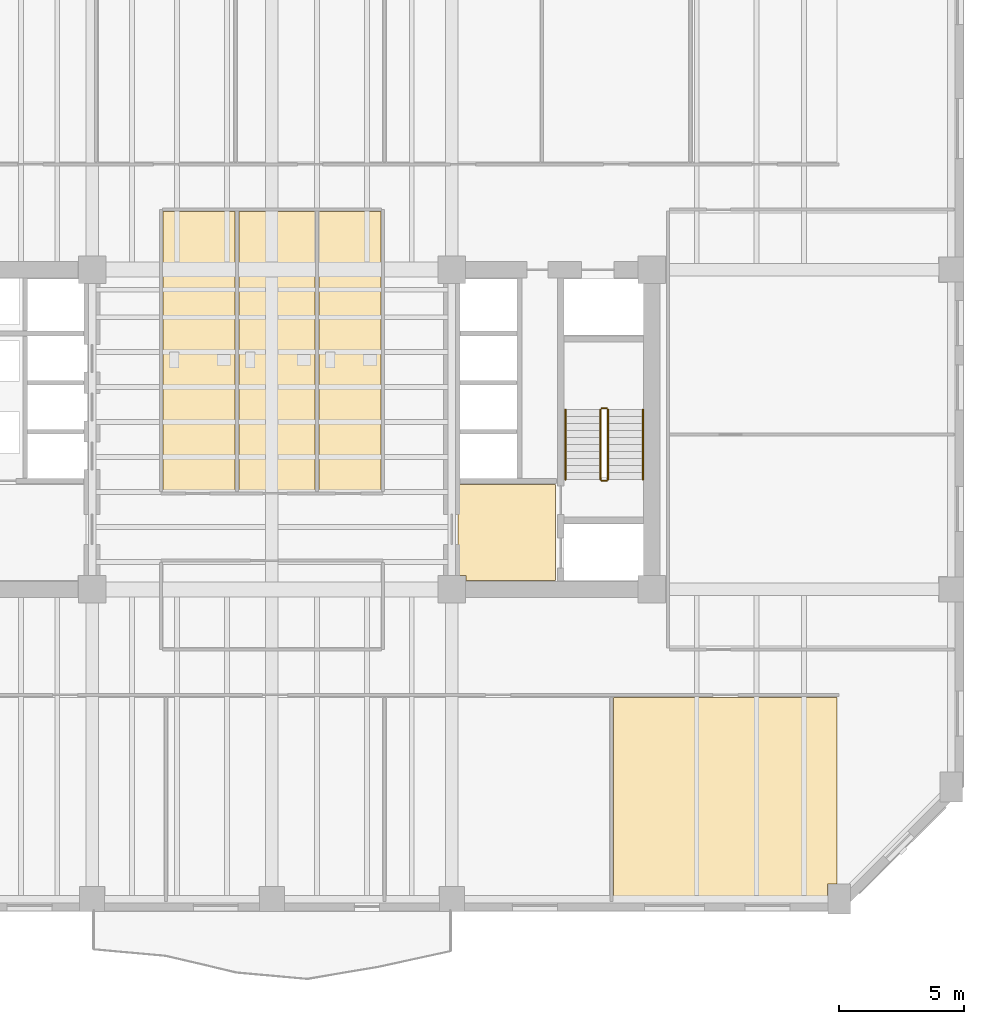
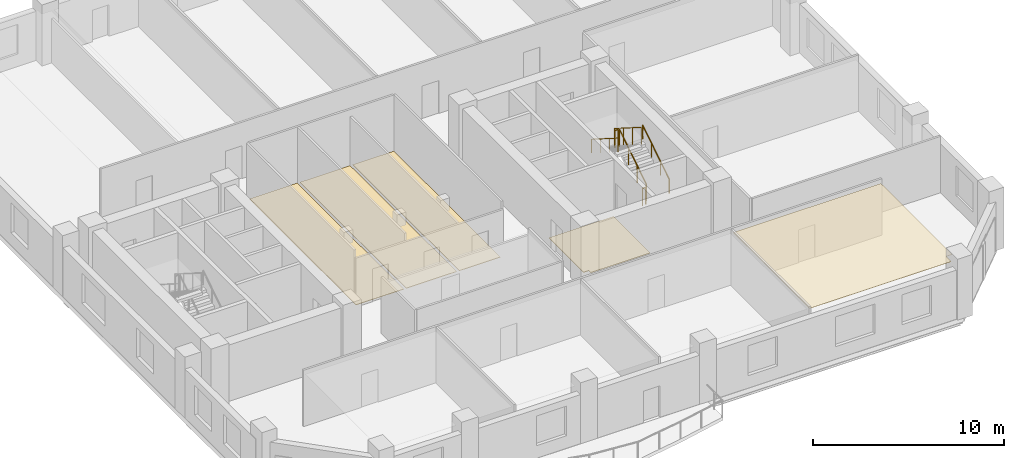
# One storey, part 7 of 9: 6 railings, 5 coverings.
"""IFC4 building model written with IfcOpenShell, lengths in metres."""

import ifcopenshell
import ifcopenshell.guid

model = None  # the IFC model being written
_history = None  # IfcOwnerHistory: only IFC2X3 demands one
_inside = {}  # id of a spatial element -> (the spatial element, [elements in it])
_under = {}  # id of a project, library or spatial element -> (it, [spatial elements below it])
_declared = {}  # id of a project -> (the project, [libraries it declares])
_typed = {}  # id of a type object -> (the type object, [elements of that type])
_made_of = {}  # id of a material, layer set ... -> (it, [elements and type objects made of it])


def new_model(schema):
    """Start an empty IFC model of exactly this schema.

    Asked for "IFC4X3", IfcOpenShell would pick the latest addendum, in which some entities
    have other attributes; the version numbers below select the first issue.
    IFC2X3 requires an IfcOwnerHistory on every rooted entity: one is made here for all.
    """
    global model, _history
    if schema == "IFC4X3":
        model = ifcopenshell.file(schema_version=(4, 3, 0, 0))
    else:
        model = ifcopenshell.file(schema=schema)
    _inside.clear()
    _under.clear()
    _declared.clear()
    _typed.clear()
    _made_of.clear()
    _history = None
    if model.schema == "IFC2X3":
        org = make("IfcOrganization", Name="unknown")
        user = make(
            "IfcPersonAndOrganization",
            ThePerson=make("IfcPerson", FamilyName="unknown"),
            TheOrganization=org,
        )
        app = make(
            "IfcApplication",
            ApplicationDeveloper=org,
            Version="unknown",
            ApplicationFullName="unknown",
            ApplicationIdentifier="unknown",
        )
        _history = make(
            "IfcOwnerHistory",
            OwningUser=user,
            OwningApplication=app,
            ChangeAction="ADDED",
            CreationDate=0,
        )
    return model


def make(cls, **values):
    """One entity of the class cls with the attributes given. An attribute that is None is left unset."""
    return model.create_entity(
        cls, **{name: value for name, value in values.items() if value is not None}
    )


def rooted(cls, **values):
    """An entity with a GlobalId (a new one), such as an element, a storey or a relation."""
    return make(cls, GlobalId=ifcopenshell.guid.new(), OwnerHistory=_history, **values)


def si_unit(unit_type, name, prefix=None):
    """IfcSIUnit, for example si_unit("LENGTHUNIT", "METRE", prefix="MILLI")."""
    return make("IfcSIUnit", UnitType=unit_type, Prefix=prefix, Name=name)


def assignment(units):
    """IfcUnitAssignment: the units of a project."""
    return None if units is None else make("IfcUnitAssignment", Units=units)


def point(xyz):
    """IfcCartesianPoint."""
    return None if xyz is None else make("IfcCartesianPoint", Coordinates=xyz)


def direction(xyz):
    """IfcDirection."""
    return None if xyz is None else make("IfcDirection", DirectionRatios=xyz)


def frame(location, z_axis=None, x_axis=None):
    """IfcAxis2Placement3D, a coordinate frame: its origin and axes. An axis left out is left unset."""
    return make(
        "IfcAxis2Placement3D",
        Location=point(location),
        Axis=direction(z_axis),
        RefDirection=direction(x_axis),
    )


def frame_2d(location, x_axis=None):
    """IfcAxis2Placement2D, a coordinate frame in the plane: its origin and x axis."""
    return make(
        "IfcAxis2Placement2D", Location=point(location), RefDirection=direction(x_axis)
    )


def origin():
    """The frame at (0, 0, 0) with its axes left unset."""
    return frame((0.0, 0.0, 0.0))


def origin_2d():
    """The frame at (0, 0) in the plane with its x axis left unset."""
    return frame_2d((0.0, 0.0))


def place(relative_to, where):
    """IfcLocalPlacement: puts the frame where relative to a parent placement (None: the world)."""
    return make(
        "IfcLocalPlacement", PlacementRelTo=relative_to, RelativePlacement=where
    )


def context(
    kind, dimensions, precision=None, world=None, true_north=None, identifier=None
):
    """IfcGeometricRepresentationContext, for example the 3D "Model" context."""
    return make(
        "IfcGeometricRepresentationContext",
        ContextIdentifier=identifier,
        ContextType=kind,
        CoordinateSpaceDimension=dimensions,
        Precision=precision,
        WorldCoordinateSystem=world,
        TrueNorth=true_north,
    )


def subcontext(parent, identifier, kind, view, scale=None):
    """IfcGeometricRepresentationSubContext, for example "Body" below "Model"."""
    return make(
        "IfcGeometricRepresentationSubContext",
        ContextIdentifier=identifier,
        ContextType=kind,
        ParentContext=parent,
        TargetScale=scale,
        TargetView=view,
    )


def project(units=None, contexts=None):
    """IfcProject with its units and contexts."""
    return rooted(
        "IfcProject",
        Name="project",
        RepresentationContexts=contexts,
        UnitsInContext=assignment(units),
    )


def spatial(cls, under=None, at=None, **own):
    """A site, building, storey or space (cls), placed at a placement, below another one or the project."""
    s = rooted(cls, ObjectPlacement=at, **own)
    if under is not None:
        _under.setdefault(under.id(), (under, []))[1].append(s)
    return s


def polyline(points):
    """IfcPolyline through the points."""
    return make("IfcPolyline", Points=[point(p) for p in points])


def profile(cls, at=None, kind="AREA", **sizes):
    """A parametric profile (cls). Its sizes go by their IFC names, for example OverallWidth=200.0."""
    return make(cls, ProfileType=kind, Position=at, **sizes)


def circle(**sizes):
    """IfcCircleProfileDef."""
    return profile("IfcCircleProfileDef", **sizes)


def outline(outer, holes=None, kind="AREA"):
    """IfcArbitraryClosedProfileDef: a profile drawn as a closed curve; with holes, ...WithVoids."""
    if holes is None:
        return make("IfcArbitraryClosedProfileDef", ProfileType=kind, OuterCurve=outer)
    return make(
        "IfcArbitraryProfileDefWithVoids",
        ProfileType=kind,
        OuterCurve=outer,
        InnerCurves=holes,
    )


def extrude(swept, where, along, depth):
    """IfcExtrudedAreaSolid: the profile swept, set in the frame where, extruded along a direction by depth."""
    return make(
        "IfcExtrudedAreaSolid",
        SweptArea=swept,
        Position=where,
        ExtrudedDirection=direction(along),
        Depth=depth,
    )


def shape(context_of_items, identifier, shape_type, items):
    """IfcShapeRepresentation: the items that make up one representation, for example the "Body"."""
    return make(
        "IfcShapeRepresentation",
        ContextOfItems=context_of_items,
        RepresentationIdentifier=identifier,
        RepresentationType=shape_type,
        Items=items,
    )


def material(Name=None, Category=None):
    """IfcMaterial."""
    return make("IfcMaterial", Name=Name, Category=Category)


def layer(
    of_material, thickness, ventilated=None, Name=None, Category=None, Priority=None
):
    """IfcMaterialLayer: one layer of a wall or slab, of a material (None: an air gap)."""
    return make(
        "IfcMaterialLayer",
        Material=of_material,
        LayerThickness=thickness,
        IsVentilated=ventilated,
        Name=Name,
        Category=Category,
        Priority=Priority,
    )


def layer_set(layers, Name=None):
    """IfcMaterialLayerSet."""
    return make("IfcMaterialLayerSet", MaterialLayers=layers, LayerSetName=Name)


def made_of(thing, what):
    """Note that an element or type object is made of a material, layer set ...; save() writes the relation."""
    if what is not None:
        _made_of.setdefault(what.id(), (what, []))[1].append(thing)
    return thing


def type_object(cls, material=None, **own):
    """A type object (cls), such as IfcWallType, which elements share."""
    return made_of(rooted(cls, **own), material)


def element(
    cls,
    number,
    at=None,
    inside=None,
    cuts=None,
    type_object=None,
    material=None,
    context=None,
    identifier="Body",
    shape_type=None,
    held_by="IfcProductDefinitionShape",
    body=None,
    shapes=None,
    **own,
):
    """One element of the class cls, such as IfcWall. Its Tag is "e" and its number.

    at: its placement. inside: the storey or other place that contains it. cuts: it is an
    opening in that element (IfcRelVoidsElement). A single representation is given by context,
    identifier, shape_type and body (its items); several are given by shapes. held_by: the class
    of the entity that holds the representations. save() writes the other relations.
    """
    e = rooted(cls, Tag="e%d" % number, ObjectPlacement=at, **own)
    if body is not None:
        shapes = [shape(context, identifier, shape_type, body)]
    if shapes is not None:
        e.Representation = make(held_by, Representations=shapes)
    if inside is not None:
        _inside.setdefault(inside.id(), (inside, []))[1].append(e)
    if cuts is not None:
        rooted(
            "IfcRelVoidsElement", RelatingBuildingElement=cuts, RelatedOpeningElement=e
        )
    if type_object is not None:
        _typed.setdefault(type_object.id(), (type_object, []))[1].append(e)
    return made_of(e, material)


def aggregate(whole, parts):
    """IfcRelAggregates: a whole, such as a stair, and the parts it consists of."""
    return rooted("IfcRelAggregates", RelatingObject=whole, RelatedObjects=parts)


def save(model, path):
    """Write the relations noted so far, then the file.

    IfcRelAggregates (storeys below a building ...), IfcRelContainedInSpatialStructure (elements
    in a storey), IfcRelDefinesByType, IfcRelAssociatesMaterial and IfcRelDeclares: one each for
    every whole, place, type object, material and project.
    """
    for whole, parts in _under.values():
        aggregate(whole, parts)
    for where, things in _inside.values():
        rooted(
            "IfcRelContainedInSpatialStructure",
            RelatedElements=things,
            RelatingStructure=where,
        )
    for kind, things in _typed.values():
        rooted("IfcRelDefinesByType", RelatedObjects=things, RelatingType=kind)
    for what, things in _made_of.values():
        rooted("IfcRelAssociatesMaterial", RelatedObjects=things, RelatingMaterial=what)
    for by, libraries in _declared.values():
        rooted("IfcRelDeclares", RelatingContext=by, RelatedDefinitions=libraries)
    model.write(path)


model = new_model("IFC4")

# Units and contexts
model_context = context("Model", 3, precision=1e-05, world=origin(), true_north=direction((0.0, 1.0)))
body_context = subcontext(model_context, "Body", "Model", "MODEL_VIEW")
ifc_project = project(units=[si_unit("LENGTHUNIT", "METRE"), si_unit("AREAUNIT", "SQUARE_METRE"), si_unit("VOLUMEUNIT", "CUBIC_METRE"), si_unit("PLANEANGLEUNIT", "RADIAN"), si_unit("MASSUNIT", "GRAM", prefix="KILO")], contexts=[model_context])

# Site, building, storey
site_placement = place(None, origin())
site = spatial("IfcSite", under=ifc_project, at=site_placement, CompositionType="ELEMENT")
building_placement = place(site_placement, origin())
building = spatial("IfcBuilding", under=site, at=building_placement, Name="Kranthara Brick Stack", CompositionType="ELEMENT")
storey_placement = place(building_placement, frame((0.0, 0.0, 86.699951171875)))
storey = spatial("IfcBuildingStorey", under=building, at=storey_placement, Name="L21", CompositionType="ELEMENT", Elevation=86.699951171875)

# Coverings
ifc_material_1 = material(Name="Perforated mineral-fibre acoustic ceiling tile", Category="other")
ifc_layer_1 = layer(ifc_material_1, 0.02490234375)
ifc_layer_set_1 = layer_set([ifc_layer_1], Name="Perforated mineral-fibre acoustic ceiling tile")
covering_type_1 = type_object("IfcCoveringType", Name="COV-CEIL-ACOUSTIC", PredefinedType="CEILING", material=ifc_layer_set_1)
covering_1_placement = place(storey_placement, frame((0.0, 0.0, 3.330078125)))
element("IfcCovering", 1, at=covering_1_placement, inside=storey, type_object=covering_type_1, Name="L21 L21 Collaboration Lounge 4 Acoustic Ceiling", PredefinedType="CEILING", context=body_context, shape_type="SweptSolid", body=[
    extrude(outline(polyline([(41.679931640625, 8.469970703125), (41.679931640625, 16.47998046875), (50.6201171875, 16.47998046875), (50.6201171875, 9.010009765625), (50.239990234375, 9.010009765625), (50.239990234375, 8.469970703125), (41.679931640625, 8.469970703125)])), origin(), (0.0, 0.0, 1.0), 0.02490234375),
])
ifc_material_2 = material(Name="Honed terrazzo and porcelain floor finish", Category="stone")
ifc_layer_2 = layer(ifc_material_2, 0.030029296875)
ifc_layer_set_2 = layer_set([ifc_layer_2], Name="Honed terrazzo and porcelain floor finish")
covering_type_2 = type_object("IfcCoveringType", Name="COV-FLOR-STONE", PredefinedType="FLOORING", material=ifc_layer_set_2)
covering_2_placement = place(storey_placement, origin())
element("IfcCovering", 2, at=covering_2_placement, inside=storey, type_object=covering_type_2, Name="L21 Lift Lobby Stone Flooring", PredefinedType="FLOORING", context=body_context, shape_type="SweptSolid", body=[
    extrude(outline(polyline([(35.449951171875, 25.0), (39.35009765625, 25.0), (39.35009765625, 21.14990234375), (35.760009765625, 21.14990234375), (35.760009765625, 21.360107421875), (35.449951171875, 21.360107421875), (35.449951171875, 25.0)])), origin(), (0.0, 0.0, 1.0), 0.030029296875),
])
covering_3_placement = place(storey_placement, origin())
element("IfcCovering", 3, at=covering_3_placement, inside=storey, type_object=covering_type_2, Name="L21 Wet Room Porcelain Flooring", PredefinedType="FLOORING", context=body_context, shape_type="SweptSolid", body=[
    extrude(outline(polyline([(26.52001953125, 24.75), (26.52001953125, 35.919921875), (23.6298828125, 35.919921875), (23.6298828125, 24.75), (26.52001953125, 24.75)])), origin(), (0.0, 0.0, 1.0), 0.030029296875),
])
covering_4_placement = place(storey_placement, origin())
element("IfcCovering", 4, at=covering_4_placement, inside=storey, type_object=covering_type_2, Name="L21 Wet Room Porcelain Flooring", PredefinedType="FLOORING", context=body_context, shape_type="SweptSolid", body=[
    extrude(outline(polyline([(29.719970703125, 24.75), (29.719970703125, 35.919921875), (26.679931640625, 35.919921875), (26.679931640625, 24.75), (29.719970703125, 24.75)])), origin(), (0.0, 0.0, 1.0), 0.030029296875),
])
covering_5_placement = place(storey_placement, origin())
element("IfcCovering", 5, at=covering_5_placement, inside=storey, type_object=covering_type_2, Name="L21 Wet Room Porcelain Flooring", PredefinedType="FLOORING", context=body_context, shape_type="SweptSolid", body=[
    extrude(outline(polyline([(32.3701171875, 24.75), (32.3701171875, 35.919921875), (29.8798828125, 35.919921875), (29.8798828125, 24.75), (32.3701171875, 24.75)])), origin(), (0.0, 0.0, 1.0), 0.030029296875),
])

# Railings
ifc_material_3 = material(Name="Painted galvanized steel stair guardrail", Category="steel")
railing_type_1 = type_object("IfcRailingType", Name="RL-STAIR-GUARD-1100", PredefinedType="GUARDRAIL", material=ifc_material_3)
railing_1_placement = place(storey_placement, frame((41.449951171875, 25.199951171875, 0.17724609375)))
element("IfcRailing", 6, at=railing_1_placement, inside=storey, type_object=railing_type_1, Name="L21 ST02 stair guard 1", PredefinedType="GUARDRAIL", context=body_context, shape_type="SweptSolid", body=[
    extrude(circle(Radius=0.02392578125, at=origin_2d()), frame((0.0, 0.0, 1.076171875), z_axis=(0.0, 0.844908973607, 0.534910110503), x_axis=(-1.0, 0.0, 0.0)), (0.0, 0.0, 1.0), 3.31396484375),
    extrude(circle(Radius=0.02099609375, at=origin_2d()), origin(), (0.0, 0.0, 1.0), 1.052001953125),
    extrude(circle(Radius=0.02099609375, at=origin_2d()), frame((0.0, 0.933349609375, 0.5908203125)), (0.0, 0.0, 1.0), 1.052001953125),
    extrude(circle(Radius=0.02099609375, at=origin_2d()), frame((0.0, 1.86669921875, 1.181884765625)), (0.0, 0.0, 1.0), 1.052001953125),
    extrude(circle(Radius=0.02099609375, at=origin_2d()), frame((0.0, 2.800048828125, 1.772705078125)), (0.0, 0.0, 1.0), 1.052001953125),
])
railing_2_placement = place(storey_placement, frame((41.39990234375, 28.050048828125, 1.949951171875)))
element("IfcRailing", 7, at=railing_2_placement, inside=storey, type_object=railing_type_1, Name="L21 ST02 stair guard 2", PredefinedType="GUARDRAIL", context=body_context, shape_type="SweptSolid", body=[
    extrude(circle(Radius=0.02392578125, at=origin_2d()), frame((0.0, 0.0, 1.076171875), z_axis=(-1.0, 0.0, 0.0), x_axis=(0.0, -1.0, 0.0)), (0.0, 0.0, 1.0), 0.199951171875),
    extrude(circle(Radius=0.02099609375, at=origin_2d()), origin(), (0.0, 0.0, 1.0), 1.052001953125),
    extrude(circle(Radius=0.02099609375, at=origin_2d()), frame((-0.199951171875, 0.0, 0.0)), (0.0, 0.0, 1.0), 1.052001953125),
])
railing_3_placement = place(storey_placement, frame((41.14990234375, 28.0, 2.12744140625)))
element("IfcRailing", 8, at=railing_3_placement, inside=storey, type_object=railing_type_1, Name="L21 ST02 stair guard 3", PredefinedType="GUARDRAIL", context=body_context, shape_type="SweptSolid", body=[
    extrude(circle(Radius=0.02392578125, at=origin_2d()), frame((0.0, 0.0, 1.076171875), z_axis=(0.0, -0.844908973607, 0.534910110503), x_axis=(1.0, 0.0, 0.0)), (0.0, 0.0, 1.0), 3.31396484375),
    extrude(circle(Radius=0.02099609375, at=origin_2d()), origin(), (0.0, 0.0, 1.0), 1.052001953125),
    extrude(circle(Radius=0.02099609375, at=origin_2d()), frame((0.0, -0.933349609375, 0.5908203125)), (0.0, 0.0, 1.0), 1.052001953125),
    extrude(circle(Radius=0.02099609375, at=origin_2d()), frame((0.0, -1.86669921875, 1.181884765625)), (0.0, 0.0, 1.0), 1.052001953125),
    extrude(circle(Radius=0.02099609375, at=origin_2d()), frame((0.0, -2.800048828125, 1.772705078125)), (0.0, 0.0, 1.0), 1.052001953125),
])
railing_4_placement = place(storey_placement, frame((41.39990234375, 25.14990234375, 0.0)))
element("IfcRailing", 9, at=railing_4_placement, inside=storey, type_object=railing_type_1, Name="L21 ST02 stair guard 4", PredefinedType="GUARDRAIL", context=body_context, shape_type="SweptSolid", body=[
    extrude(circle(Radius=0.02392578125, at=origin_2d()), frame((0.0, 0.0, 1.076171875), z_axis=(-1.0, 0.0, 0.0), x_axis=(0.0, -1.0, 0.0)), (0.0, 0.0, 1.0), 0.199951171875),
    extrude(circle(Radius=0.02099609375, at=origin_2d()), origin(), (0.0, 0.0, 1.0), 1.052001953125),
    extrude(circle(Radius=0.02099609375, at=origin_2d()), frame((-0.199951171875, 0.0, 0.0)), (0.0, 0.0, 1.0), 1.052001953125),
])
ifc_material_4 = material(Name="Brushed stainless steel tubular handrail", Category="steel")
railing_type_2 = type_object("IfcRailingType", Name="RL-STAIR-HAND-900", PredefinedType="HANDRAIL", material=ifc_material_4)
railing_5_placement = place(storey_placement, frame((42.85009765625, 25.199951171875, 0.17724609375)))
element("IfcRailing", 10, at=railing_5_placement, inside=storey, type_object=railing_type_2, Name="L21 ST02 stair handrail 1", PredefinedType="HANDRAIL", context=body_context, shape_type="SweptSolid", body=[
    extrude(circle(Radius=0.02392578125, at=origin_2d()), frame((0.0, 0.0, 0.8759765625), z_axis=(0.0, 0.844908973607, 0.534910110503), x_axis=(-1.0, 0.0, 0.0)), (0.0, 0.0, 1.0), 3.31396484375),
    extrude(circle(Radius=0.02099609375, at=origin_2d()), origin(), (0.0, 0.0, 1.0), 0.851806640625),
    extrude(circle(Radius=0.02099609375, at=origin_2d()), frame((0.0, 0.933349609375, 0.5908203125)), (0.0, 0.0, 1.0), 0.851806640625),
    extrude(circle(Radius=0.02099609375, at=origin_2d()), frame((0.0, 1.86669921875, 1.181884765625)), (0.0, 0.0, 1.0), 0.851806640625),
    extrude(circle(Radius=0.02099609375, at=origin_2d()), frame((0.0, 2.800048828125, 1.772705078125)), (0.0, 0.0, 1.0), 0.851806640625),
])
railing_6_placement = place(storey_placement, frame((39.75, 28.0, 2.12744140625)))
element("IfcRailing", 11, at=railing_6_placement, inside=storey, type_object=railing_type_2, Name="L21 ST02 stair handrail 2", PredefinedType="HANDRAIL", context=body_context, shape_type="SweptSolid", body=[
    extrude(circle(Radius=0.02392578125, at=origin_2d()), frame((0.0, 0.0, 0.8759765625), z_axis=(0.0, -0.844908973607, 0.534910110503), x_axis=(1.0, 0.0, 0.0)), (0.0, 0.0, 1.0), 3.31396484375),
    extrude(circle(Radius=0.02099609375, at=origin_2d()), origin(), (0.0, 0.0, 1.0), 0.851806640625),
    extrude(circle(Radius=0.02099609375, at=origin_2d()), frame((0.0, -0.933349609375, 0.5908203125)), (0.0, 0.0, 1.0), 0.851806640625),
    extrude(circle(Radius=0.02099609375, at=origin_2d()), frame((0.0, -1.86669921875, 1.181884765625)), (0.0, 0.0, 1.0), 0.851806640625),
    extrude(circle(Radius=0.02099609375, at=origin_2d()), frame((0.0, -2.800048828125, 1.772705078125)), (0.0, 0.0, 1.0), 0.851806640625),
])

save(model, "model.ifc")
